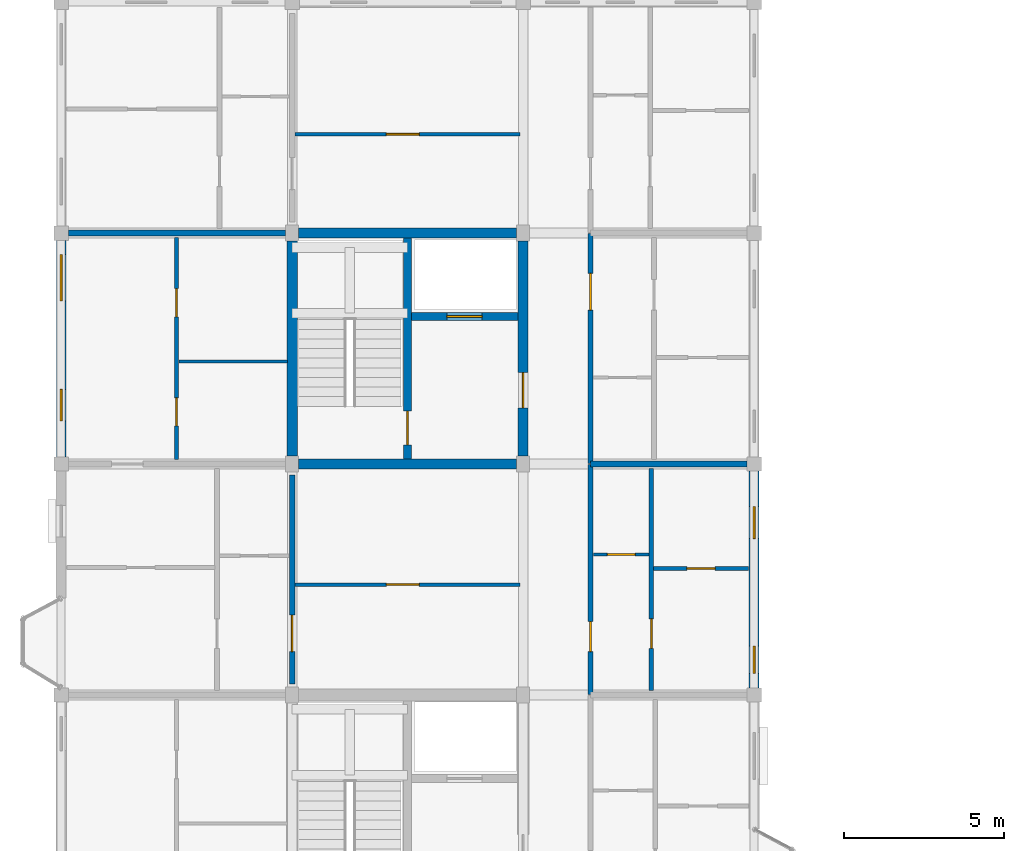
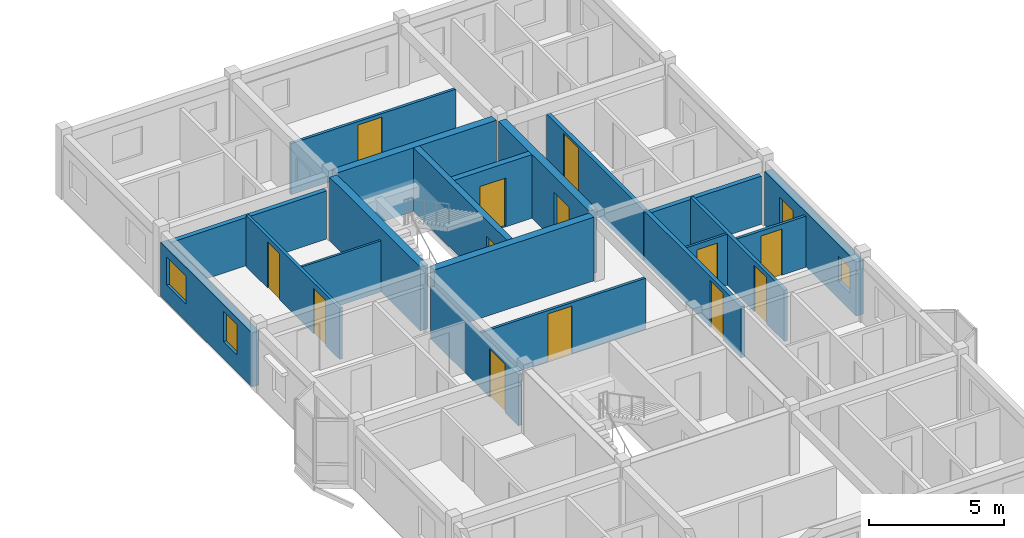
# One storey, part 14 of 23: 20 walls, 13 doors, 4 windows, 17 openings.
"""IFC4 building model written with IfcOpenShell, lengths in metres."""

from ifc_helpers import new_model, si_unit, direction, frame, frame_2d, origin, place, context, subcontext, project, spatial, rectangle, extrude, material, layer, layer_set, type_object, element, fill, save


model = new_model("IFC4")

# Units and contexts
model_context = context("Model", 3, precision=1e-05, world=origin(), true_north=direction((0.0, 1.0)))
body_context = subcontext(model_context, "Body", "Model", "MODEL_VIEW")
ifc_project = project(units=[si_unit("LENGTHUNIT", "METRE"), si_unit("AREAUNIT", "SQUARE_METRE"), si_unit("VOLUMEUNIT", "CUBIC_METRE"), si_unit("PLANEANGLEUNIT", "RADIAN"), si_unit("MASSUNIT", "GRAM", prefix="KILO"), si_unit("THERMODYNAMICTEMPERATUREUNIT", "KELVIN"), si_unit("POWERUNIT", "WATT")], contexts=[model_context])

# Site, building, storey
site_placement = place(None, origin())
site = spatial("IfcSite", under=ifc_project, at=site_placement, CompositionType="ELEMENT")
building_placement = place(site_placement, origin())
building = spatial("IfcBuilding", under=site, at=building_placement, Name="Tavuni Mirador Residences", CompositionType="ELEMENT")
storey_placement = place(building_placement, frame((0.0, 0.0, 42.300048828125)))
storey = spatial("IfcBuildingStorey", under=building, at=storey_placement, Name="L13", CompositionType="ELEMENT", Elevation=42.300048828125)

# Wall, opening, door
ifc_material_1 = material(Name="Precast concrete C40/50", Category="concrete")
ifc_layer_1 = layer(ifc_material_1, 0.25, Name="Precast concrete C40/50", Category="concrete")
ifc_layer_set_1 = layer_set([ifc_layer_1], Name="Precast concrete C40/50")
wall_type_1 = type_object("IfcWallType", Name="WT-COR250", PredefinedType="SHEAR", material=ifc_layer_set_1)
wall_1_placement = place(storey_placement, frame((14.39990234375, 28.9599609375, 0.0), z_axis=(0.0, 0.0, 1.0), x_axis=(0.0, 1.0, 0.0)))
wall_1 = element("IfcWall", 1, at=wall_1_placement, inside=storey, type_object=wall_type_1, Name="CWALL-C2-L13-MID", PredefinedType="SHEAR", context=body_context, shape_type="SweptSolid", body=[
    extrude(rectangle(XDim=6.880126953125, YDim=0.25, at=frame_2d((3.43994140625, 0.0))), origin(), (0.0, 0.0, 1.0), 2.869873046875),
])
opening_1_placement = place(wall_1_placement, frame((0.43994140625, 0.0, 0.0)))
opening_1 = element("IfcOpeningElement", 2, at=opening_1_placement, cuts=wall_1, Name="Opening D-01", PredefinedType="OPENING", context=body_context, shape_type="SweptSolid", body=[
    extrude(rectangle(XDim=1.050048828125, YDim=2.14990234375, at=frame_2d((0.52490234375, 1.074951171875))), frame((0.0, 0.135009765625, 0.0), z_axis=(0.0, -1.0, 0.0), x_axis=(1.0, 0.0, 0.0)), (0.0, 0.0, 1.0), 0.27001953125),
])
ifc_material_2 = material(Name="Solid core iroko timber", Category="wood")
door_type_1 = type_object("IfcDoorType", Name="DT-ST1050", OperationType="NOTDEFINED", PredefinedType="DOOR", material=ifc_material_2)
door_1_placement = place(opening_1_placement, origin())
door_1 = element("IfcDoor", 3, at=door_1_placement, inside=storey, type_object=door_type_1, Name="DR-2099", OperationType="SINGLE_SWING_LEFT", OverallHeight=2.14990234375, OverallWidth=1.050048828125, PredefinedType="DOOR", context=body_context, shape_type="SweptSolid", body=[
    extrude(rectangle(XDim=1.050048828125, YDim=2.14990234375, at=frame_2d((0.52490234375, 1.074951171875))), frame((0.0, 0.02490234375, 0.0), z_axis=(0.0, -1.0, 0.0), x_axis=(1.0, 0.0, 0.0)), (0.0, 0.0, 1.0), 0.050048828125),
])
fill(opening_1, door_1)

wall_2_placement = place(storey_placement, frame((14.52490234375, 33.39990234375, 0.0), z_axis=(0.0, 0.0, 1.0), x_axis=(1.0, 0.0, 0.0)))
wall_2 = element("IfcWall", 4, at=wall_2_placement, inside=storey, type_object=wall_type_1, Name="CWALL-C2-L13-SHF", PredefinedType="SHEAR", context=body_context, shape_type="SweptSolid", body=[
    extrude(rectangle(XDim=3.315185546875, YDim=0.25, at=frame_2d((1.65771484375, 0.0))), origin(), (0.0, 0.0, 1.0), 2.869873046875),
])
opening_2_placement = place(wall_2_placement, frame((1.10009765625, 0.0, 0.0)))
opening_2 = element("IfcOpeningElement", 5, at=opening_2_placement, cuts=wall_2, Name="Opening LD-01", PredefinedType="OPENING", context=body_context, shape_type="SweptSolid", body=[
    extrude(rectangle(XDim=1.10009765625, YDim=2.199951171875, at=frame_2d((0.550048828125, 1.10009765625))), frame((0.0, 0.135009765625, 0.0), z_axis=(0.0, -1.0, 0.0), x_axis=(1.0, 0.0, 0.0)), (0.0, 0.0, 1.0), 0.27001953125),
])
ifc_material_3 = material(Name="Structural steel S355", Category="steel")
door_type_2 = type_object("IfcDoorType", Name="DT-LD-FF", OperationType="SLIDING_TO_LEFT", PredefinedType="DOOR", material=ifc_material_3)
door_2_placement = place(opening_2_placement, origin())
door_2 = element("IfcDoor", 6, at=door_2_placement, inside=storey, type_object=door_type_2, Name="Lift landing door FL-A2 L13", OperationType="SLIDING_TO_LEFT", OverallHeight=2.199951171875, OverallWidth=1.10009765625, PredefinedType="DOOR", context=body_context, shape_type="SweptSolid", body=[
    extrude(rectangle(XDim=1.10009765625, YDim=2.199951171875, at=frame_2d((0.550048828125, 1.10009765625))), frame((0.0, 0.02490234375, 0.0), z_axis=(0.0, -1.0, 0.0), x_axis=(1.0, 0.0, 0.0)), (0.0, 0.0, 1.0), 0.050048828125),
])
fill(opening_2, door_2)

# Walls
ifc_layer_2 = layer(ifc_material_1, 0.320068359375, Name="Precast concrete C40/50", Category="concrete")
ifc_layer_set_2 = layer_set([ifc_layer_2], Name="Precast concrete C40/50")
wall_type_2 = type_object("IfcWallType", Name="WT-COR320", PredefinedType="SHEAR", material=ifc_layer_set_2)
wall_3_placement = place(storey_placement, frame((10.800048828125, 29.050048828125, 0.0), z_axis=(0.0, 0.0, 1.0), x_axis=(0.0, 1.0, 0.0)))
element("IfcWall", 7, at=wall_3_placement, inside=storey, type_object=wall_type_2, Name="CWALL-C2-L13-W", PredefinedType="SHEAR", context=body_context, shape_type="SweptSolid", body=[
    extrude(rectangle(XDim=6.699951171875, YDim=0.320068359375, at=frame_2d((3.35009765625, 0.0))), origin(), (0.0, 0.0, 1.0), 2.869873046875),
])
wall_4_placement = place(storey_placement, frame((11.0, 36.0, 0.0), z_axis=(0.0, 0.0, 1.0), x_axis=(1.0, 0.0, 0.0)))
element("IfcWall", 8, at=wall_4_placement, inside=storey, type_object=wall_type_2, Name="CWALL-C2-L13-N", PredefinedType="SHEAR", context=body_context, shape_type="SweptSolid", body=[
    extrude(rectangle(XDim=6.800048828125, YDim=0.320068359375, at=frame_2d((3.39990234375, 0.0))), origin(), (0.0, 0.0, 1.0), 2.869873046875),
])

# Wall, opening, door
wall_5_placement = place(storey_placement, frame((18.0, 29.050048828125, 0.0), z_axis=(0.0, 0.0, 1.0), x_axis=(0.0, 1.0, 0.0)))
wall_5 = element("IfcWall", 9, at=wall_5_placement, inside=storey, type_object=wall_type_2, Name="CWALL-C2-L13-E", PredefinedType="SHEAR", context=body_context, shape_type="SweptSolid", body=[
    extrude(rectangle(XDim=6.699951171875, YDim=0.320068359375, at=frame_2d((3.35009765625, 0.0))), origin(), (0.0, 0.0, 1.0), 2.869873046875),
])
opening_3_placement = place(wall_5_placement, frame((1.5, 0.0, 0.0)))
opening_3 = element("IfcOpeningElement", 10, at=opening_3_placement, cuts=wall_5, Name="Opening D-02", PredefinedType="OPENING", context=body_context, shape_type="SweptSolid", body=[
    extrude(rectangle(XDim=1.10009765625, YDim=2.14990234375, at=frame_2d((0.550048828125, 1.074951171875))), frame((0.0, 0.169921875, 0.0), z_axis=(0.0, -1.0, 0.0), x_axis=(1.0, 0.0, 0.0)), (0.0, 0.0, 1.0), 0.340087890625),
])
door_type_3 = type_object("IfcDoorType", Name="DT-LOB1100", OperationType="NOTDEFINED", PredefinedType="DOOR", material=ifc_material_2)
door_3_placement = place(opening_3_placement, frame((1.10009765625, 0.0, 0.0), z_axis=(0.0, 0.0, 1.0), x_axis=(-1.0, 0.0, 0.0)))
door_3 = element("IfcDoor", 11, at=door_3_placement, inside=storey, type_object=door_type_3, Name="DR-2098", OperationType="SINGLE_SWING_LEFT", OverallHeight=2.14990234375, OverallWidth=1.10009765625, PredefinedType="DOOR", context=body_context, shape_type="SweptSolid", body=[
    extrude(rectangle(XDim=1.10009765625, YDim=2.14990234375, at=frame_2d((0.550048828125, 1.074951171875))), frame((0.0, 0.02490234375, 0.0), z_axis=(0.0, -1.0, 0.0), x_axis=(1.0, 0.0, 0.0)), (0.0, 0.0, 1.0), 0.050048828125),
])
fill(opening_3, door_3)

# Wall
wall_6_placement = place(storey_placement, frame((11.0, 28.800048828125, 0.0), z_axis=(0.0, 0.0, 1.0), x_axis=(1.0, 0.0, 0.0)))
element("IfcWall", 12, at=wall_6_placement, inside=storey, type_object=wall_type_2, Name="CWALL-C2-L13-SS", PredefinedType="SHEAR", context=body_context, shape_type="SweptSolid", body=[
    extrude(rectangle(XDim=6.800048828125, YDim=0.320068359375, at=frame_2d((3.39990234375, 0.0))), origin(), (0.0, 0.0, 1.0), 2.869873046875),
])

# Wall, opening, door
ifc_layer_3 = layer(ifc_material_1, 0.1650390625, Name="Precast concrete C40/50", Category="concrete")
ifc_layer_set_3 = layer_set([ifc_layer_3], Name="Precast concrete C40/50")
wall_type_3 = type_object("IfcWallType", Name="WT-CORR165", PredefinedType="PARTITIONING", material=ifc_layer_set_3)
wall_7_placement = place(storey_placement, frame((20.10009765625, 21.6201171875, 0.0), z_axis=(0.0, 0.0, 1.0), x_axis=(0.0, 1.0, 0.0)))
wall_7 = element("IfcWall", 13, at=wall_7_placement, inside=storey, type_object=wall_type_3, Name="CORW-BLK-A-L13-0-02", PredefinedType="PARTITIONING", context=body_context, shape_type="SweptSolid", body=[
    extrude(rectangle(XDim=7.159912109375, YDim=0.1650390625, at=frame_2d((3.580078125, 0.0))), origin(), (0.0, 0.0, 1.0), 2.304931640625),
])
opening_4_placement = place(wall_7_placement, frame((1.330078125, 0.0, 0.0)))
opening_4 = element("IfcOpeningElement", 14, at=opening_4_placement, cuts=wall_7, Name="Opening D-19", PredefinedType="OPENING", context=body_context, shape_type="SweptSolid", body=[
    extrude(rectangle(XDim=0.93994140625, YDim=2.1201171875, at=frame_2d((0.469970703125, 1.06005859375))), frame((0.0, 0.092529296875, 0.0), z_axis=(0.0, -1.0, 0.0), x_axis=(1.0, 0.0, 0.0)), (0.0, 0.0, 1.0), 0.18505859375),
])
door_type_4 = type_object("IfcDoorType", Name="DT-FD60-940", OperationType="NOTDEFINED", PredefinedType="DOOR", material=ifc_material_2)
door_4_placement = place(opening_4_placement, origin())
door_4 = element("IfcDoor", 15, at=door_4_placement, inside=storey, type_object=door_type_4, Name="DR-2503", OperationType="SINGLE_SWING_RIGHT", OverallHeight=2.1201171875, OverallWidth=0.93994140625, PredefinedType="DOOR", context=body_context, shape_type="SweptSolid", body=[
    extrude(rectangle(XDim=0.93994140625, YDim=2.1201171875, at=frame_2d((0.469970703125, 1.06005859375))), frame((0.0, 0.02490234375, 0.0), z_axis=(0.0, -1.0, 0.0), x_axis=(1.0, 0.0, 0.0)), (0.0, 0.0, 1.0), 0.050048828125),
])
fill(opening_4, door_4)

wall_8_placement = place(storey_placement, frame((20.10009765625, 28.820068359375, 0.0), z_axis=(0.0, 0.0, 1.0), x_axis=(0.0, 1.0, 0.0)))
wall_8 = element("IfcWall", 16, at=wall_8_placement, inside=storey, type_object=wall_type_3, Name="CORW-BLK-A-L13-0-03", PredefinedType="PARTITIONING", context=body_context, shape_type="SweptSolid", body=[
    extrude(rectangle(XDim=7.159912109375, YDim=0.1650390625, at=frame_2d((3.580078125, 0.0))), origin(), (0.0, 0.0, 1.0), 2.304931640625),
])
opening_5_placement = place(wall_8_placement, frame((4.780029296875, 0.0, 0.0)))
opening_5 = element("IfcOpeningElement", 17, at=opening_5_placement, cuts=wall_8, Name="Opening D-20", PredefinedType="OPENING", context=body_context, shape_type="SweptSolid", body=[
    extrude(rectangle(XDim=1.139892578125, YDim=2.179931640625, at=frame_2d((0.56982421875, 1.08984375))), frame((0.0, 0.092529296875, 0.0), z_axis=(0.0, -1.0, 0.0), x_axis=(1.0, 0.0, 0.0)), (0.0, 0.0, 1.0), 0.18505859375),
])
door_type_5 = type_object("IfcDoorType", Name="DT-FD60-1140", OperationType="NOTDEFINED", PredefinedType="DOOR", material=ifc_material_2)
door_5_placement = place(opening_5_placement, origin())
door_5 = element("IfcDoor", 18, at=door_5_placement, inside=storey, type_object=door_type_5, Name="DR-2504", OperationType="SINGLE_SWING_LEFT", OverallHeight=2.179931640625, OverallWidth=1.139892578125, PredefinedType="DOOR", context=body_context, shape_type="SweptSolid", body=[
    extrude(rectangle(XDim=1.139892578125, YDim=2.179931640625, at=frame_2d((0.56982421875, 1.08984375))), frame((0.0, 0.02490234375, 0.0), z_axis=(0.0, -1.0, 0.0), x_axis=(1.0, 0.0, 0.0)), (0.0, 0.0, 1.0), 0.050048828125),
])
fill(opening_5, door_5)

wall_9_placement = place(storey_placement, frame((10.800048828125, 21.949951171875, 0.0), z_axis=(0.0, 0.0, 1.0), x_axis=(0.0, 1.0, 0.0)))
wall_9 = element("IfcWall", 19, at=wall_9_placement, inside=storey, type_object=wall_type_3, Name="CORW-BLK-A-L13-1-02", PredefinedType="PARTITIONING", context=body_context, shape_type="SweptSolid", body=[
    extrude(rectangle(XDim=6.5, YDim=0.1650390625, at=frame_2d((3.25, 0.0))), origin(), (0.0, 0.0, 1.0), 2.304931640625),
])
opening_6_placement = place(wall_9_placement, frame((1.0, 0.0, 0.0)))
opening_6 = element("IfcOpeningElement", 20, at=opening_6_placement, cuts=wall_9, Name="Opening D-20", PredefinedType="OPENING", context=body_context, shape_type="SweptSolid", body=[
    extrude(rectangle(XDim=1.139892578125, YDim=2.179931640625, at=frame_2d((0.56982421875, 1.08984375))), frame((0.0, 0.092529296875, 0.0), z_axis=(0.0, -1.0, 0.0), x_axis=(1.0, 0.0, 0.0)), (0.0, 0.0, 1.0), 0.18505859375),
])
door_6_placement = place(opening_6_placement, origin())
door_6 = element("IfcDoor", 21, at=door_6_placement, inside=storey, type_object=door_type_5, Name="DR-2507", OperationType="SINGLE_SWING_RIGHT", OverallHeight=2.179931640625, OverallWidth=1.139892578125, PredefinedType="DOOR", context=body_context, shape_type="SweptSolid", body=[
    extrude(rectangle(XDim=1.139892578125, YDim=2.179931640625, at=frame_2d((0.56982421875, 1.08984375))), frame((0.0, 0.02490234375, 0.0), z_axis=(0.0, -1.0, 0.0), x_axis=(1.0, 0.0, 0.0)), (0.0, 0.0, 1.0), 0.050048828125),
])
fill(opening_6, door_6)

# Wall, openings, windows
ifc_material_4 = material(Name="Sgraffito lime-rendered precast concrete C40/50", Category="concrete")
ifc_layer_4 = layer(ifc_material_4, 0.304931640625, Name="Sgraffito lime-rendered precast concrete C40/50", Category="concrete")
ifc_layer_set_4 = layer_set([ifc_layer_4], Name="Sgraffito lime-rendered precast concrete C40/50")
wall_type_4 = type_object("IfcWallType", Name="WT-EXT-PC305", PredefinedType="SOLIDWALL", material=ifc_layer_set_4)
wall_10_placement = place(storey_placement, frame((3.60009765625, 35.77490234375, 0.0), z_axis=(0.0, 0.0, 1.0), x_axis=(0.0, -1.0, 0.0)))
wall_10 = element("IfcWall", 22, at=wall_10_placement, inside=storey, type_object=wall_type_4, Name="EW-BLK-A-L13-W03", PredefinedType="SOLIDWALL", context=body_context, shape_type="SweptSolid", body=[
    extrude(rectangle(XDim=6.75, YDim=0.304931640625, at=frame_2d((3.375, 0.0))), origin(), (0.0, 0.0, 1.0), 2.43994140625),
])
opening_7_placement = place(wall_10_placement, frame((0.449951171875, 0.0, 0.780029296875)))
opening_7 = element("IfcOpeningElement", 23, at=opening_7_placement, cuts=wall_10, Name="Opening WN-16", PredefinedType="OPENING", context=body_context, shape_type="SweptSolid", body=[
    extrude(rectangle(XDim=1.43994140625, YDim=1.260009765625, at=frame_2d((0.719970703125, 0.6298828125))), frame((0.0, 0.16259765625, 0.0), z_axis=(0.0, -1.0, 0.0), x_axis=(1.0, 0.0, 0.0)), (0.0, 0.0, 1.0), 0.324951171875),
])
opening_8_placement = place(wall_10_placement, frame((4.64990234375, 0.0, 0.780029296875)))
opening_8 = element("IfcOpeningElement", 24, at=opening_8_placement, cuts=wall_10, Name="Opening WN-18", PredefinedType="OPENING", context=body_context, shape_type="SweptSolid", body=[
    extrude(rectangle(XDim=0.97998046875, YDim=1.360107421875, at=frame_2d((0.489990234375, 0.68017578125))), frame((0.0, 0.16259765625, 0.0), z_axis=(0.0, -1.0, 0.0), x_axis=(1.0, 0.0, 0.0)), (0.0, 0.0, 1.0), 0.324951171875),
])
ifc_material_5 = material(Name="Laminated solar-control glass", Category="glass")
window_type_1 = type_object("IfcWindowType", Name="WNT-16", PartitioningType="SINGLE_PANEL", PredefinedType="WINDOW", material=ifc_material_5)
window_1_placement = place(opening_7_placement, origin())
window_1 = element("IfcWindow", 25, at=window_1_placement, inside=storey, type_object=window_type_1, Name="WIN-0482", OverallHeight=1.260009765625, OverallWidth=1.43994140625, PartitioningType="SINGLE_PANEL", PredefinedType="WINDOW", context=body_context, shape_type="SweptSolid", body=[
    extrude(rectangle(XDim=1.43994140625, YDim=1.260009765625, at=frame_2d((0.719970703125, 0.6298828125))), frame((0.0, 0.030029296875, 0.0), z_axis=(0.0, -1.0, 0.0), x_axis=(1.0, 0.0, 0.0)), (0.0, 0.0, 1.0), 0.06005859375),
])
fill(opening_7, window_1)
window_type_2 = type_object("IfcWindowType", Name="WNT-18", PartitioningType="SINGLE_PANEL", PredefinedType="WINDOW", material=ifc_material_5)
window_2_placement = place(opening_8_placement, origin())
window_2 = element("IfcWindow", 26, at=window_2_placement, inside=storey, type_object=window_type_2, Name="WIN-0483", OverallHeight=1.360107421875, OverallWidth=0.97998046875, PartitioningType="SINGLE_PANEL", PredefinedType="WINDOW", context=body_context, shape_type="SweptSolid", body=[
    extrude(rectangle(XDim=0.97998046875, YDim=1.360107421875, at=frame_2d((0.489990234375, 0.68017578125))), frame((0.0, 0.030029296875, 0.0), z_axis=(0.0, -1.0, 0.0), x_axis=(1.0, 0.0, 0.0)), (0.0, 0.0, 1.0), 0.06005859375),
])
fill(opening_8, window_2)

ifc_layer_5 = layer(ifc_material_4, 0.31494140625, Name="Sgraffito lime-rendered precast concrete C40/50", Category="concrete")
ifc_layer_set_5 = layer_set([ifc_layer_5], Name="Sgraffito lime-rendered precast concrete C40/50")
wall_type_5 = type_object("IfcWallType", Name="WT-EXT-PC315", PredefinedType="SOLIDWALL", material=ifc_layer_set_5)
wall_11_placement = place(storey_placement, frame((25.199951171875, 21.824951171875, 0.0), z_axis=(0.0, 0.0, 1.0), x_axis=(0.0, 1.0, 0.0)))
wall_11 = element("IfcWall", 27, at=wall_11_placement, inside=storey, type_object=wall_type_5, Name="EW-BLK-A-L13-E02", PredefinedType="SOLIDWALL", context=body_context, shape_type="SweptSolid", body=[
    extrude(rectangle(XDim=6.75, YDim=0.31494140625, at=frame_2d((3.375, 0.0))), origin(), (0.0, 0.0, 1.0), 2.43994140625),
])
opening_9_placement = place(wall_11_placement, frame((0.449951171875, 0.0, 0.780029296875)))
opening_9 = element("IfcOpeningElement", 28, at=opening_9_placement, cuts=wall_11, Name="Opening WN-01", PredefinedType="OPENING", context=body_context, shape_type="SweptSolid", body=[
    extrude(rectangle(XDim=0.85009765625, YDim=1.14990234375, at=frame_2d((0.425048828125, 0.574951171875))), frame((0.0, 0.16748046875, 0.0), z_axis=(0.0, -1.0, 0.0), x_axis=(1.0, 0.0, 0.0)), (0.0, 0.0, 1.0), 0.3349609375),
])
opening_10_placement = place(wall_11_placement, frame((4.64990234375, 0.0, 0.780029296875)))
opening_10 = element("IfcOpeningElement", 29, at=opening_10_placement, cuts=wall_11, Name="Opening WN-03", PredefinedType="OPENING", context=body_context, shape_type="SweptSolid", body=[
    extrude(rectangle(XDim=1.0, YDim=1.14990234375, at=frame_2d((0.5, 0.574951171875))), frame((0.0, 0.16748046875, 0.0), z_axis=(0.0, -1.0, 0.0), x_axis=(1.0, 0.0, 0.0)), (0.0, 0.0, 1.0), 0.3349609375),
])
window_type_3 = type_object("IfcWindowType", Name="WNT-01", PartitioningType="SINGLE_PANEL", PredefinedType="WINDOW", material=ifc_material_5)
window_3_placement = place(opening_9_placement, origin())
window_3 = element("IfcWindow", 30, at=window_3_placement, inside=storey, type_object=window_type_3, Name="WIN-0467", OverallHeight=1.14990234375, OverallWidth=0.85009765625, PartitioningType="SINGLE_PANEL", PredefinedType="WINDOW", context=body_context, shape_type="SweptSolid", body=[
    extrude(rectangle(XDim=0.85009765625, YDim=1.14990234375, at=frame_2d((0.425048828125, 0.574951171875))), frame((0.0, 0.030029296875, 0.0), z_axis=(0.0, -1.0, 0.0), x_axis=(1.0, 0.0, 0.0)), (0.0, 0.0, 1.0), 0.06005859375),
])
fill(opening_9, window_3)
window_type_4 = type_object("IfcWindowType", Name="WNT-03", PartitioningType="SINGLE_PANEL", PredefinedType="WINDOW", material=ifc_material_5)
window_4_placement = place(opening_10_placement, origin())
window_4 = element("IfcWindow", 31, at=window_4_placement, inside=storey, type_object=window_type_4, Name="WIN-0468", OverallHeight=1.14990234375, OverallWidth=1.0, PartitioningType="SINGLE_PANEL", PredefinedType="WINDOW", context=body_context, shape_type="SweptSolid", body=[
    extrude(rectangle(XDim=1.0, YDim=1.14990234375, at=frame_2d((0.5, 0.574951171875))), frame((0.0, 0.030029296875, 0.0), z_axis=(0.0, -1.0, 0.0), x_axis=(1.0, 0.0, 0.0)), (0.0, 0.0, 1.0), 0.06005859375),
])
fill(opening_10, window_4)

# Wall
ifc_material_6 = material(Name="Acoustic gypsum and concrete block partition", Category="concrete")
ifc_layer_6 = layer(ifc_material_6, 0.094970703125, Name="Acoustic gypsum and concrete block partition", Category="concrete")
ifc_layer_set_6 = layer_set([ifc_layer_6], Name="Acoustic gypsum and concrete block partition")
wall_type_6 = type_object("IfcWallType", Name="WT-PART095", PredefinedType="PARTITIONING", material=ifc_layer_set_6)
wall_12_placement = place(storey_placement, frame((7.27001953125, 32.0, 0.0), z_axis=(0.0, 0.0, 1.0), x_axis=(1.0, 0.0, 0.0)))
element("IfcWall", 32, at=wall_12_placement, inside=storey, type_object=wall_type_6, Name="PW-BLK-A-L13-WC03-H", PredefinedType="PARTITIONING", context=body_context, shape_type="SweptSolid", body=[
    extrude(rectangle(XDim=3.389892578125, YDim=0.094970703125, at=frame_2d((1.69482421875, 0.0))), origin(), (0.0, 0.0, 1.0), 2.304931640625),
])

# Wall, opening, door
ifc_layer_7 = layer(ifc_material_6, 0.10498046875, Name="Acoustic gypsum and concrete block partition", Category="concrete")
ifc_layer_set_7 = layer_set([ifc_layer_7], Name="Acoustic gypsum and concrete block partition")
wall_type_7 = type_object("IfcWallType", Name="WT-PART105", PredefinedType="PARTITIONING", material=ifc_layer_set_7)
wall_13_placement = place(storey_placement, frame((20.18994140625, 25.97998046875, 0.0), z_axis=(0.0, 0.0, 1.0), x_axis=(1.0, 0.0, 0.0)))
wall_13 = element("IfcWall", 33, at=wall_13_placement, inside=storey, type_object=wall_type_7, Name="PW-BLK-A-L13-E02-IN1", PredefinedType="PARTITIONING", context=body_context, shape_type="SweptSolid", body=[
    extrude(rectangle(XDim=1.739990234375, YDim=0.10498046875, at=frame_2d((0.8701171875, 0.0))), origin(), (0.0, 0.0, 1.0), 2.304931640625),
])
opening_11_placement = place(wall_13_placement, frame((0.43505859375, 0.0, 0.0)))
opening_11 = element("IfcOpeningElement", 34, at=opening_11_placement, cuts=wall_13, Name="Opening D-10", PredefinedType="OPENING", context=body_context, shape_type="SweptSolid", body=[
    extrude(rectangle(XDim=0.8701171875, YDim=2.050048828125, at=frame_2d((0.43505859375, 1.02490234375))), frame((0.0, 0.0625, 0.0), z_axis=(0.0, -1.0, 0.0), x_axis=(1.0, 0.0, 0.0)), (0.0, 0.0, 1.0), 0.125),
])
door_type_6 = type_object("IfcDoorType", Name="DT-WC870", OperationType="NOTDEFINED", PredefinedType="DOOR", material=ifc_material_2)
door_7_placement = place(opening_11_placement, origin())
door_7 = element("IfcDoor", 35, at=door_7_placement, inside=storey, type_object=door_type_6, Name="DR-3364", OperationType="SINGLE_SWING_LEFT", OverallHeight=2.050048828125, OverallWidth=0.8701171875, PredefinedType="DOOR", context=body_context, shape_type="SweptSolid", body=[
    extrude(rectangle(XDim=0.8701171875, YDim=2.050048828125, at=frame_2d((0.43505859375, 1.02490234375))), frame((0.0, 0.02490234375, 0.0), z_axis=(0.0, -1.0, 0.0), x_axis=(1.0, 0.0, 0.0)), (0.0, 0.0, 1.0), 0.050048828125),
])
fill(opening_11, door_7)

ifc_layer_8 = layer(ifc_material_6, 0.114990234375, Name="Acoustic gypsum and concrete block partition", Category="concrete")
ifc_layer_set_8 = layer_set([ifc_layer_8], Name="Acoustic gypsum and concrete block partition")
wall_type_8 = type_object("IfcWallType", Name="WT-PART115", PredefinedType="PARTITIONING", material=ifc_layer_set_8)
wall_14_placement = place(storey_placement, frame((10.889892578125, 25.0400390625, 0.0), z_axis=(0.0, 0.0, 1.0), x_axis=(1.0, 0.0, 0.0)))
wall_14 = element("IfcWall", 36, at=wall_14_placement, inside=storey, type_object=wall_type_8, Name="PW-SPN-BLK-A-L13-02", PredefinedType="PARTITIONING", context=body_context, shape_type="SweptSolid", body=[
    extrude(rectangle(XDim=7.02001953125, YDim=0.114990234375, at=frame_2d((3.510009765625, 0.0))), origin(), (0.0, 0.0, 1.0), 2.304931640625),
])
opening_12_placement = place(wall_14_placement, frame((2.85009765625, 0.0, 0.0)))
opening_12 = element("IfcOpeningElement", 37, at=opening_12_placement, cuts=wall_14, Name="Opening D-13", PredefinedType="OPENING", context=body_context, shape_type="SweptSolid", body=[
    extrude(rectangle(XDim=1.02001953125, YDim=2.14990234375, at=frame_2d((0.510009765625, 1.074951171875))), frame((0.0, 0.0673828125, 0.0), z_axis=(0.0, -1.0, 0.0), x_axis=(1.0, 0.0, 0.0)), (0.0, 0.0, 1.0), 0.135009765625),
])
door_type_7 = type_object("IfcDoorType", Name="DT-MTG1020", OperationType="NOTDEFINED", PredefinedType="DOOR", material=ifc_material_2)
door_8_placement = place(opening_12_placement, origin())
door_8 = element("IfcDoor", 38, at=door_8_placement, inside=storey, type_object=door_type_7, Name="DR-3359", OperationType="SINGLE_SWING_LEFT", OverallHeight=2.14990234375, OverallWidth=1.02001953125, PredefinedType="DOOR", context=body_context, shape_type="SweptSolid", body=[
    extrude(rectangle(XDim=1.02001953125, YDim=2.14990234375, at=frame_2d((0.510009765625, 1.074951171875))), frame((0.0, 0.02490234375, 0.0), z_axis=(0.0, -1.0, 0.0), x_axis=(1.0, 0.0, 0.0)), (0.0, 0.0, 1.0), 0.050048828125),
])
fill(opening_12, door_8)

wall_15_placement = place(storey_placement, frame((22.070068359375, 25.5400390625, 0.0), z_axis=(0.0, 0.0, 1.0), x_axis=(1.0, 0.0, 0.0)))
wall_15 = element("IfcWall", 39, at=wall_15_placement, inside=storey, type_object=wall_type_8, Name="PW-BLK-A-L13-E02-OUT", PredefinedType="PARTITIONING", context=body_context, shape_type="SweptSolid", body=[
    extrude(rectangle(XDim=2.954833984375, YDim=0.114990234375, at=frame_2d((1.4775390625, 0.0))), origin(), (0.0, 0.0, 1.0), 2.304931640625),
])
opening_13_placement = place(wall_15_placement, frame((1.03759765625, 0.0, 0.0)))
opening_13 = element("IfcOpeningElement", 40, at=opening_13_placement, cuts=wall_15, Name="Opening D-08", PredefinedType="OPENING", context=body_context, shape_type="SweptSolid", body=[
    extrude(rectangle(XDim=0.8798828125, YDim=2.080078125, at=frame_2d((0.43994140625, 1.0400390625))), frame((0.0, 0.0673828125, 0.0), z_axis=(0.0, -1.0, 0.0), x_axis=(1.0, 0.0, 0.0)), (0.0, 0.0, 1.0), 0.135009765625),
])
door_type_8 = type_object("IfcDoorType", Name="DT-BED880", OperationType="NOTDEFINED", PredefinedType="DOOR", material=ifc_material_2)
door_9_placement = place(opening_13_placement, origin())
door_9 = element("IfcDoor", 41, at=door_9_placement, inside=storey, type_object=door_type_8, Name="DR-3363", OperationType="SINGLE_SWING_RIGHT", OverallHeight=2.080078125, OverallWidth=0.8798828125, PredefinedType="DOOR", context=body_context, shape_type="SweptSolid", body=[
    extrude(rectangle(XDim=0.8798828125, YDim=2.080078125, at=frame_2d((0.43994140625, 1.0400390625))), frame((0.0, 0.02490234375, 0.0), z_axis=(0.0, -1.0, 0.0), x_axis=(1.0, 0.0, 0.0)), (0.0, 0.0, 1.0), 0.050048828125),
])
fill(opening_13, door_9)

wall_16_placement = place(storey_placement, frame((10.889892578125, 39.080078125, 0.0), z_axis=(0.0, 0.0, 1.0), x_axis=(1.0, 0.0, 0.0)))
wall_16 = element("IfcWall", 42, at=wall_16_placement, inside=storey, type_object=wall_type_8, Name="PW-SPN-BLK-A-L13-04", PredefinedType="PARTITIONING", context=body_context, shape_type="SweptSolid", body=[
    extrude(rectangle(XDim=7.02001953125, YDim=0.114990234375, at=frame_2d((3.510009765625, 0.0))), origin(), (0.0, 0.0, 1.0), 2.304931640625),
])
opening_14_placement = place(wall_16_placement, frame((2.85009765625, 0.0, 0.0)))
opening_14 = element("IfcOpeningElement", 43, at=opening_14_placement, cuts=wall_16, Name="Opening D-13", PredefinedType="OPENING", context=body_context, shape_type="SweptSolid", body=[
    extrude(rectangle(XDim=1.02001953125, YDim=2.14990234375, at=frame_2d((0.510009765625, 1.074951171875))), frame((0.0, 0.0673828125, 0.0), z_axis=(0.0, -1.0, 0.0), x_axis=(1.0, 0.0, 0.0)), (0.0, 0.0, 1.0), 0.135009765625),
])
door_10_placement = place(opening_14_placement, origin())
door_10 = element("IfcDoor", 44, at=door_10_placement, inside=storey, type_object=door_type_7, Name="DR-3371", OperationType="SINGLE_SWING_LEFT", OverallHeight=2.14990234375, OverallWidth=1.02001953125, PredefinedType="DOOR", context=body_context, shape_type="SweptSolid", body=[
    extrude(rectangle(XDim=1.02001953125, YDim=2.14990234375, at=frame_2d((0.510009765625, 1.074951171875))), frame((0.0, 0.02490234375, 0.0), z_axis=(0.0, -1.0, 0.0), x_axis=(1.0, 0.0, 0.0)), (0.0, 0.0, 1.0), 0.050048828125),
])
fill(opening_14, door_10)

# Wall, openings, doors
ifc_layer_9 = layer(ifc_material_6, 0.125, Name="Acoustic gypsum and concrete block partition", Category="concrete")
ifc_layer_set_9 = layer_set([ifc_layer_9], Name="Acoustic gypsum and concrete block partition")
wall_type_9 = type_object("IfcWallType", Name="WT-PART125", PredefinedType="PARTITIONING", material=ifc_layer_set_9)
wall_17_placement = place(storey_placement, frame((7.199951171875, 28.93994140625, 0.0), z_axis=(0.0, 0.0, 1.0), x_axis=(0.0, 1.0, 0.0)))
wall_17 = element("IfcWall", 45, at=wall_17_placement, inside=storey, type_object=wall_type_9, Name="PW-BLK-A-L13-WC03-M", PredefinedType="PARTITIONING", context=body_context, shape_type="SweptSolid", body=[
    extrude(rectangle(XDim=6.920166015625, YDim=0.125, at=frame_2d((3.4599609375, 0.0))), origin(), (0.0, 0.0, 1.0), 2.304931640625),
])
opening_15_placement = place(wall_17_placement, frame((1.050048828125, 0.0, 0.0)))
opening_15 = element("IfcOpeningElement", 46, at=opening_15_placement, cuts=wall_17, Name="Opening D-10", PredefinedType="OPENING", context=body_context, shape_type="SweptSolid", body=[
    extrude(rectangle(XDim=0.8701171875, YDim=2.050048828125, at=frame_2d((0.43505859375, 1.02490234375))), frame((0.0, 0.072509765625, 0.0), z_axis=(0.0, -1.0, 0.0), x_axis=(1.0, 0.0, 0.0)), (0.0, 0.0, 1.0), 0.14501953125),
])
opening_16_placement = place(wall_17_placement, frame((4.449951171875, 0.0, 0.0)))
opening_16 = element("IfcOpeningElement", 47, at=opening_16_placement, cuts=wall_17, Name="Opening D-08", PredefinedType="OPENING", context=body_context, shape_type="SweptSolid", body=[
    extrude(rectangle(XDim=0.8798828125, YDim=2.080078125, at=frame_2d((0.43994140625, 1.0400390625))), frame((0.0, 0.072509765625, 0.0), z_axis=(0.0, -1.0, 0.0), x_axis=(1.0, 0.0, 0.0)), (0.0, 0.0, 1.0), 0.14501953125),
])
door_11_placement = place(opening_16_placement, origin())
door_11 = element("IfcDoor", 48, at=door_11_placement, inside=storey, type_object=door_type_8, Name="DR-3367", OperationType="SINGLE_SWING_LEFT", OverallHeight=2.080078125, OverallWidth=0.8798828125, PredefinedType="DOOR", context=body_context, shape_type="SweptSolid", body=[
    extrude(rectangle(XDim=0.8798828125, YDim=2.080078125, at=frame_2d((0.43994140625, 1.0400390625))), frame((0.0, 0.02490234375, 0.0), z_axis=(0.0, -1.0, 0.0), x_axis=(1.0, 0.0, 0.0)), (0.0, 0.0, 1.0), 0.050048828125),
])
fill(opening_16, door_11)
door_12_placement = place(opening_15_placement, origin())
door_12 = element("IfcDoor", 49, at=door_12_placement, inside=storey, type_object=door_type_6, Name="DR-3366", OperationType="SINGLE_SWING_RIGHT", OverallHeight=2.050048828125, OverallWidth=0.8701171875, PredefinedType="DOOR", context=body_context, shape_type="SweptSolid", body=[
    extrude(rectangle(XDim=0.8701171875, YDim=2.050048828125, at=frame_2d((0.43505859375, 1.02490234375))), frame((0.0, 0.02490234375, 0.0), z_axis=(0.0, -1.0, 0.0), x_axis=(1.0, 0.0, 0.0)), (0.0, 0.0, 1.0), 0.050048828125),
])
fill(opening_15, door_12)

# Wall, opening, door
ifc_layer_10 = layer(ifc_material_6, 0.139892578125, Name="Acoustic gypsum and concrete block partition", Category="concrete")
ifc_layer_set_10 = layer_set([ifc_layer_10], Name="Acoustic gypsum and concrete block partition")
wall_type_10 = type_object("IfcWallType", Name="WT-PART140", PredefinedType="PARTITIONING", material=ifc_layer_set_10)
wall_18_placement = place(storey_placement, frame((22.0, 21.739990234375, 0.0), z_axis=(0.0, 0.0, 1.0), x_axis=(0.0, 1.0, 0.0)))
wall_18 = element("IfcWall", 50, at=wall_18_placement, inside=storey, type_object=wall_type_10, Name="PW-BLK-A-L13-E02-MID", PredefinedType="PARTITIONING", context=body_context, shape_type="SweptSolid", body=[
    extrude(rectangle(XDim=6.919921875, YDim=0.139892578125, at=frame_2d((3.4599609375, 0.0))), origin(), (0.0, 0.0, 1.0), 2.304931640625),
])
opening_17_placement = place(wall_18_placement, frame((1.31005859375, 0.0, 0.0)))
opening_17 = element("IfcOpeningElement", 51, at=opening_17_placement, cuts=wall_18, Name="Opening D-06", PredefinedType="OPENING", context=body_context, shape_type="SweptSolid", body=[
    extrude(rectangle(XDim=0.919921875, YDim=2.10009765625, at=frame_2d((0.4599609375, 1.050048828125))), frame((0.0, 0.080078125, 0.0), z_axis=(0.0, -1.0, 0.0), x_axis=(1.0, 0.0, 0.0)), (0.0, 0.0, 1.0), 0.159912109375),
])
door_type_9 = type_object("IfcDoorType", Name="DT-INT920", OperationType="NOTDEFINED", PredefinedType="DOOR", material=ifc_material_2)
door_13_placement = place(opening_17_placement, origin())
door_13 = element("IfcDoor", 52, at=door_13_placement, inside=storey, type_object=door_type_9, Name="DR-3365", OperationType="SINGLE_SWING_RIGHT", OverallHeight=2.10009765625, OverallWidth=0.919921875, PredefinedType="DOOR", context=body_context, shape_type="SweptSolid", body=[
    extrude(rectangle(XDim=0.919921875, YDim=2.10009765625, at=frame_2d((0.4599609375, 1.050048828125))), frame((0.0, 0.02490234375, 0.0), z_axis=(0.0, -1.0, 0.0), x_axis=(1.0, 0.0, 0.0)), (0.0, 0.0, 1.0), 0.050048828125),
])
fill(opening_17, door_13)

# Walls
ifc_layer_11 = layer(ifc_material_1, 0.195068359375, Name="Precast concrete C40/50", Category="concrete")
ifc_layer_set_11 = layer_set([ifc_layer_11], Name="Precast concrete C40/50")
wall_type_11 = type_object("IfcWallType", Name="WT-XW195", PredefinedType="SOLIDWALL", material=ifc_layer_set_11)
wall_19_placement = place(storey_placement, frame((20.10009765625, 28.800048828125, 0.0), z_axis=(0.0, 0.0, 1.0), x_axis=(1.0, 0.0, 0.0)))
element("IfcWall", 53, at=wall_19_placement, inside=storey, type_object=wall_type_11, Name="XW-BLK-A-L13-E-03", PredefinedType="SOLIDWALL", context=body_context, shape_type="SweptSolid", body=[
    extrude(rectangle(XDim=4.875, YDim=0.195068359375, at=frame_2d((2.4375, 0.0))), origin(), (0.0, 0.0, 1.0), 2.169921875),
])
wall_20_placement = place(storey_placement, frame((3.824951171875, 36.0, 0.0), z_axis=(0.0, 0.0, 1.0), x_axis=(1.0, 0.0, 0.0)))
element("IfcWall", 54, at=wall_20_placement, inside=storey, type_object=wall_type_11, Name="XW-BLK-A-L13-W-04", PredefinedType="SOLIDWALL", context=body_context, shape_type="SweptSolid", body=[
    extrude(rectangle(XDim=6.775146484375, YDim=0.195068359375, at=frame_2d((3.3876953125, 0.0))), origin(), (0.0, 0.0, 1.0), 2.169921875),
])

save(model, "model.ifc")
